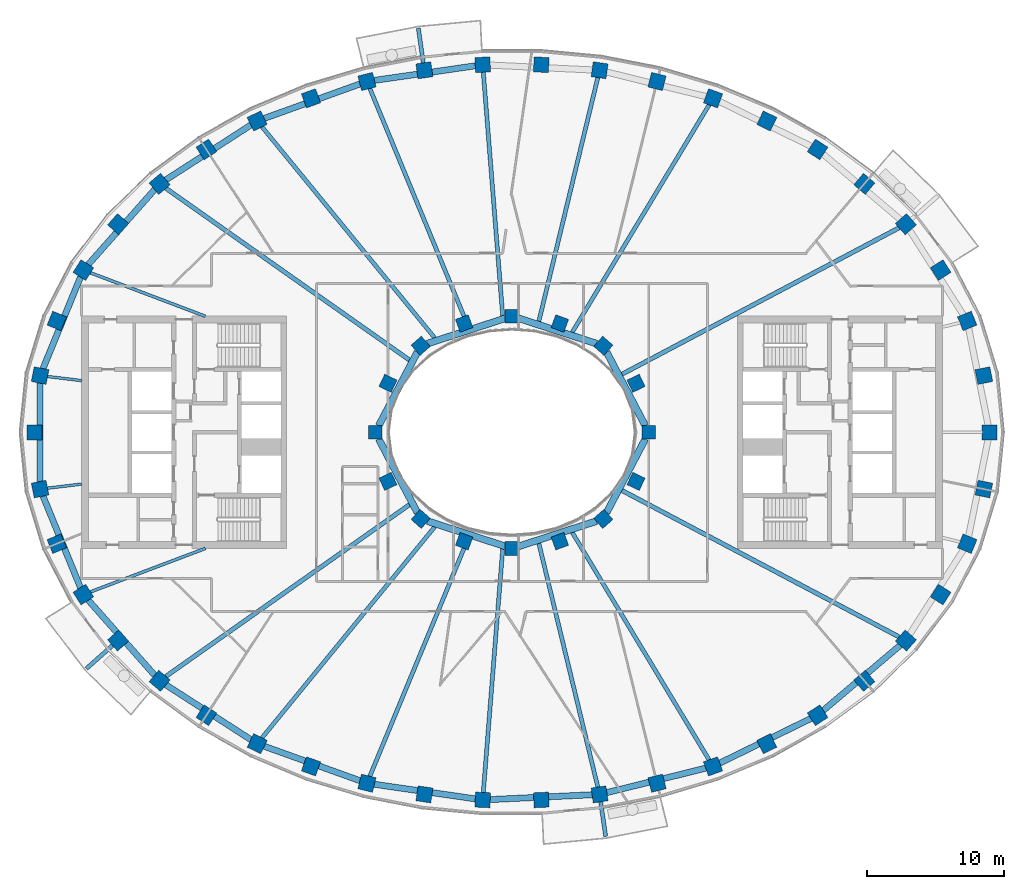
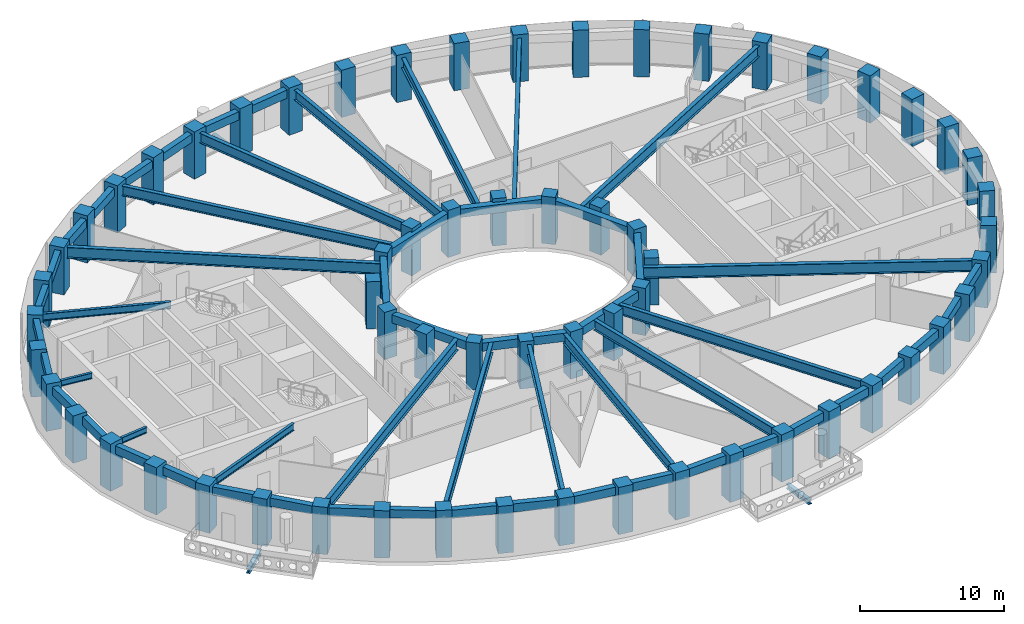
# One storey, part 1 of 16: 62 columns, 44 beams.
"""IFC4 building model written with IfcOpenShell, lengths in metres."""

from ifc_helpers import new_model, si_unit, direction, frame, origin, origin_2d, place, context, subcontext, project, spatial, rectangle, i_section, extrude, material, material_profile, profile_set, type_object, element, save


model = new_model("IFC4")

# Units and contexts
model_context = context("Model", 3, precision=1e-05, world=origin(), true_north=direction((0.0, 1.0)))
body_context = subcontext(model_context, "Body", "Model", "MODEL_VIEW")
ifc_project = project(units=[si_unit("LENGTHUNIT", "METRE"), si_unit("AREAUNIT", "SQUARE_METRE"), si_unit("VOLUMEUNIT", "CUBIC_METRE"), si_unit("PLANEANGLEUNIT", "RADIAN"), si_unit("MASSUNIT", "GRAM", prefix="KILO")], contexts=[model_context])

# Site, building, storey
site_placement = place(None, origin())
site = spatial("IfcSite", under=ifc_project, at=site_placement, CompositionType="ELEMENT")
building_placement = place(site_placement, origin())
building = spatial("IfcBuilding", under=site, at=building_placement, Name="Noorbagh Ring Tower", CompositionType="ELEMENT")
storey_placement = place(building_placement, frame((0.0, 0.0, 257.5)))
storey = spatial("IfcBuildingStorey", under=building, at=storey_placement, Name="L54", CompositionType="ELEMENT", Elevation=257.5)

# Columns
ifc_material_1 = material(Name="Concrete C60/75", Category="concrete")
ifc_material_profile_1 = material_profile(ifc_material_1, rectangle(XDim=1.10009765625, YDim=1.10009765625, at=origin_2d()), Name="RC1100x1100")
ifc_profile_set_1 = profile_set([ifc_material_profile_1], Name="Concrete C60/75")
column_type_1 = type_object("IfcColumnType", Name="STR-COL-RC1100x1100-C60-75", PredefinedType="COLUMN", material=ifc_profile_set_1)
for number, where, z_axis, x_axis, name in (
    (1, (34.944580078125, 0.0, 0.0), (0.0, 0.0, 1.0), (0.0, 1.0, 0.0), "L54/col/R1-01"),
    (2, (34.52685546875, 4.150634765625, 0.0), (0.0, 0.0, 1.0), (-0.19723040178, 0.9803571638, 0.0), "L54/col/R1-02"),
    (3, (33.30517578125, 8.1494140625, 0.0), (0.0, 0.0, 1.0), (-0.378989499959, 0.925400971969, 0.0), "L54/col/R1-03"),
    (4, (31.364990234375, 11.87109375, 0.0), (0.0, 0.0, 1.0), (-0.535190403059, 0.844731455833, 0.0), "L54/col/R1-04"),
    (5, (28.81884765625, 15.23046875, 0.0), (0.0, 0.0, 1.0), (-0.662635642662, 0.748941923699, 0.0), "L54/col/R1-05"),
    (6, (25.78271484375, 18.180419921875, 0.0), (0.0, 0.0, 1.0), (-0.763035199656, 0.646356932419, 0.0), "L54/col/R1-06"),
    (7, (22.362060546875, 20.699951171875, 0.0), (0.0, 0.0, 1.0), (-0.840247639643, 0.542202825586, 0.0), "L54/col/R1-07"),
    (8, (18.646240234375, 22.785400390625, 0.0), (0.0, 0.0, 1.0), (-0.898399080868, 0.439180021741, 0.0), "L54/col/R1-08"),
    (9, (14.70947265625, 24.44091796875, 0.0), (0.0, 0.0, 1.0), (-0.941024726094, 0.338337797003, 0.0), "L54/col/R1-09"),
    (10, (10.61328125, 25.673583984375, 0.0), (0.0, 0.0, 1.0), (-0.970829360981, 0.239771457553, 0.0), "L54/col/R1-10"),
    (11, (6.4091796875, 26.49072265625, 0.0), (0.0, 0.0, 1.0), (-0.989713114048, 0.143066249975, 0.0), "L54/col/R1-11"),
    (12, (2.14306640625, 26.89794921875, 0.0), (0.0, 0.0, 1.0), (-0.998868731212, 0.047552684538, 0.0), "L54/col/R1-12"),
    (13, (-2.14306640625, 26.89794921875, 0.0), (0.0, 0.0, 1.0), (-0.998868731212, -0.047552684538, 0.0), "L54/col/R1-13"),
    (14, (-6.4091796875, 26.49072265625, 0.0), (0.0, 0.0, 1.0), (-0.989713114048, -0.143066249975, 0.0), "L54/col/R1-14"),
    (15, (-10.61328125, 25.673583984375, 0.0), (0.0, 0.0, 1.0), (-0.970829360981, -0.239771457553, 0.0), "L54/col/R1-15"),
    (16, (-14.70947265625, 24.44091796875, 0.0), (0.0, 0.0, 1.0), (-0.941024726094, -0.338337797003, 0.0), "L54/col/R1-16"),
    (17, (-18.646240234375, 22.785400390625, 0.0), (0.0, 0.0, 1.0), (-0.898399080868, -0.439180021741, 0.0), "L54/col/R1-17"),
    (18, (-22.362060546875, 20.699951171875, 0.0), (0.0, 0.0, 1.0), (-0.840247639643, -0.542202825586, 0.0), "L54/col/R1-18"),
    (19, (-25.78271484375, 18.180419921875, 0.0), (0.0, 0.0, 1.0), (-0.763035199656, -0.646356932419, 0.0), "L54/col/R1-19"),
    (20, (-28.81884765625, 15.23046875, 0.0), (0.0, 0.0, 1.0), (-0.662635642662, -0.748941923699, 0.0), "L54/col/R1-20"),
    (21, (-31.364990234375, 11.87109375, 0.0), (0.0, 0.0, 1.0), (-0.535190403059, -0.844731455833, 0.0), "L54/col/R1-21"),
    (22, (-33.30517578125, 8.1494140625, 0.0), (0.0, 0.0, 1.0), (-0.378989499959, -0.925400971969, 0.0), "L54/col/R1-22"),
    (23, (-34.52685546875, 4.150634765625, 0.0), (0.0, 0.0, 1.0), (-0.19723040178, -0.9803571638, 0.0), "L54/col/R1-23"),
    (24, (-34.944580078125, 0.0, 0.0), (0.0, 0.0, 1.0), (0.0, -1.0, 0.0), "L54/col/R1-24"),
    (25, (-34.52685546875, -4.150634765625, 0.0), (0.0, 0.0, 1.0), (0.19723040178, -0.9803571638, 0.0), "L54/col/R1-25"),
    (26, (-33.30517578125, -8.1494140625, 0.0), (0.0, 0.0, 1.0), (0.378989499959, -0.925400971969, 0.0), "L54/col/R1-26"),
    (27, (-31.364990234375, -11.87109375, 0.0), (0.0, 0.0, 1.0), (0.535190403059, -0.844731455833, 0.0), "L54/col/R1-27"),
    (28, (-28.81884765625, -15.23046875, 0.0), (0.0, 0.0, 1.0), (0.662635642662, -0.748941923699, 0.0), "L54/col/R1-28"),
    (29, (-25.78271484375, -18.180419921875, 0.0), (0.0, 0.0, 1.0), (0.763035199656, -0.646356932419, 0.0), "L54/col/R1-29"),
    (30, (-22.362060546875, -20.699951171875, 0.0), (0.0, 0.0, 1.0), (0.840247639643, -0.542202825586, 0.0), "L54/col/R1-30"),
    (31, (-18.646240234375, -22.785400390625, 0.0), (0.0, 0.0, 1.0), (0.898399080868, -0.439180021741, 0.0), "L54/col/R1-31"),
    (32, (-14.70947265625, -24.44091796875, 0.0), (0.0, 0.0, 1.0), (0.941024726094, -0.338337797003, 0.0), "L54/col/R1-32"),
    (33, (-10.61328125, -25.673583984375, 0.0), (0.0, 0.0, 1.0), (0.970829360981, -0.239771457553, 0.0), "L54/col/R1-33"),
    (34, (-6.4091796875, -26.49072265625, 0.0), (0.0, 0.0, 1.0), (0.989713114048, -0.143066249975, 0.0), "L54/col/R1-34"),
    (35, (-2.14306640625, -26.89794921875, 0.0), (0.0, 0.0, 1.0), (0.998868731212, -0.047552684538, 0.0), "L54/col/R1-35"),
    (36, (2.14306640625, -26.89794921875, 0.0), (0.0, 0.0, 1.0), (0.998868731212, 0.047552684538, 0.0), "L54/col/R1-36"),
    (37, (6.4091796875, -26.49072265625, 0.0), (0.0, 0.0, 1.0), (0.989713114048, 0.143066249975, 0.0), "L54/col/R1-37"),
    (38, (10.61328125, -25.673583984375, 0.0), (0.0, 0.0, 1.0), (0.970829360981, 0.239771457553, 0.0), "L54/col/R1-38"),
    (39, (14.70947265625, -24.44091796875, 0.0), (0.0, 0.0, 1.0), (0.941024726094, 0.338337797003, 0.0), "L54/col/R1-39"),
    (40, (18.646240234375, -22.785400390625, 0.0), (0.0, 0.0, 1.0), (0.898399080868, 0.439180021741, 0.0), "L54/col/R1-40"),
    (41, (22.362060546875, -20.699951171875, 0.0), (0.0, 0.0, 1.0), (0.840247639643, 0.542202825586, 0.0), "L54/col/R1-41"),
    (42, (25.78271484375, -18.180419921875, 0.0), (0.0, 0.0, 1.0), (0.763035199656, 0.646356932419, 0.0), "L54/col/R1-42"),
    (43, (28.81884765625, -15.23046875, 0.0), (0.0, 0.0, 1.0), (0.662635642662, 0.748941923699, 0.0), "L54/col/R1-43"),
    (44, (31.364990234375, -11.87109375, 0.0), (0.0, 0.0, 1.0), (0.535190403059, 0.844731455833, 0.0), "L54/col/R1-44"),
    (45, (33.30517578125, -8.1494140625, 0.0), (0.0, 0.0, 1.0), (0.378989499959, 0.925400971969, 0.0), "L54/col/R1-45"),
    (46, (34.52685546875, -4.150634765625, 0.0), (0.0, 0.0, 1.0), (0.19723040178, 0.9803571638, 0.0), "L54/col/R1-46"),
):
    element("IfcColumn", number, at=place(storey_placement, frame(where, z_axis=z_axis, x_axis=x_axis)), inside=storey, type_object=column_type_1, Name=name, PredefinedType="COLUMN", context=body_context, shape_type="SweptSolid", body=[
        extrude(rectangle(XDim=1.10009765625, YDim=1.10009765625, at=origin_2d()), origin(), (0.0, 0.0, 1.0), 4.0),
    ])
ifc_material_2 = material(Name="Concrete C60/75", Category="concrete")
ifc_material_profile_2 = material_profile(ifc_material_2, rectangle(XDim=1.0, YDim=1.0, at=origin_2d()), Name="RC1000x1000")
ifc_profile_set_2 = profile_set([ifc_material_profile_2], Name="Concrete C60/75")
column_type_2 = type_object("IfcColumnType", Name="STR-ICOL-RC1000x1000-C60-75", PredefinedType="COLUMN", material=ifc_profile_set_2)
for number, where, z_axis, x_axis, name in (
    (47, (10.00830078125, 0.0, 0.0), (0.0, 0.0, 1.0), (0.0, 1.0, 0.0), "L54/col/IR2-W01"),
    (48, (9.07568359375, 3.58837890625, 0.0), (0.0, 0.0, 1.0), (-0.428666979171, 0.903462573087, 0.0), "L54/col/IR2-W03"),
    (49, (6.68212890625, 6.333740234375, 0.0), (0.0, 0.0, 1.0), (-0.75102249095, 0.660276622399, 0.0), "L54/col/IR2-W05"),
    (50, (3.5009765625, 7.967041015625, 0.0), (0.0, 0.0, 1.0), (-0.939019578916, 0.343863679984, 0.0), "L54/col/IR2-W07"),
    (51, (0.0, 8.5029296875, 0.0), (0.0, 0.0, 1.0), (-1.0, 0.0, 0.0), "L54/col/IR2-W09"),
    (52, (-3.5009765625, 7.967041015625, 0.0), (0.0, 0.0, 1.0), (-0.939019578916, -0.343863679984, 0.0), "L54/col/IR2-W11"),
    (53, (-6.68212890625, 6.333740234375, 0.0), (0.0, 0.0, 1.0), (-0.75102249095, -0.660276622399, 0.0), "L54/col/IR2-W13"),
    (54, (-9.07568359375, 3.58837890625, 0.0), (0.0, 0.0, 1.0), (-0.428666979171, -0.903462573087, 0.0), "L54/col/IR2-W15"),
    (55, (-10.00830078125, 0.0, 0.0), (0.0, 0.0, 1.0), (0.0, -1.0, 0.0), "L54/col/IR2-W17"),
    (56, (-9.07568359375, -3.58837890625, 0.0), (0.0, 0.0, 1.0), (0.428666979171, -0.903462573087, 0.0), "L54/col/IR2-W19"),
    (57, (-6.68212890625, -6.333740234375, 0.0), (0.0, 0.0, 1.0), (0.75102249095, -0.660276622399, 0.0), "L54/col/IR2-W21"),
    (58, (-3.5009765625, -7.967041015625, 0.0), (0.0, 0.0, 1.0), (0.939019578916, -0.343863679984, 0.0), "L54/col/IR2-W23"),
    (59, (0.0, -8.5029296875, 0.0), (0.0, 0.0, 1.0), (1.0, 0.0, 0.0), "L54/col/IR2-W25"),
    (60, (3.5009765625, -7.967041015625, 0.0), (0.0, 0.0, 1.0), (0.939019578916, 0.343863679984, 0.0), "L54/col/IR2-W27"),
    (61, (6.68212890625, -6.333740234375, 0.0), (0.0, 0.0, 1.0), (0.75102249095, 0.660276622399, 0.0), "L54/col/IR2-W29"),
    (62, (9.07568359375, -3.58837890625, 0.0), (0.0, 0.0, 1.0), (0.428666979171, 0.903462573087, 0.0), "L54/col/IR2-W31"),
):
    element("IfcColumn", number, at=place(storey_placement, frame(where, z_axis=z_axis, x_axis=x_axis)), inside=storey, type_object=column_type_2, Name=name, PredefinedType="COLUMN", context=body_context, shape_type="SweptSolid", body=[
        extrude(rectangle(XDim=1.0, YDim=1.0, at=origin_2d()), origin(), (0.0, 0.0, 1.0), 4.0),
    ])

# Beams
ifc_material_3 = material(Name="Steel S355", Category="steel")
ifc_material_profile_3 = material_profile(ifc_material_3, i_section(OverallWidth=0.300048828125, OverallDepth=0.39990234375, WebThickness=0.013427734375, FlangeThickness=0.02392578125, FilletRadius=0.027099609375, at=origin_2d()), Name="HEB400")
ifc_profile_set_3 = profile_set([ifc_material_profile_3], Name="Steel S355")
beam_type_1 = type_object("IfcBeamType", Name="STR-BALCONY-BRACKET-HEB400", PredefinedType="BEAM", material=ifc_profile_set_3)
beam_1_placement = place(storey_placement, frame((-6.485107421875, 27.015380859375, -0.5), z_axis=(-0.143041289678, 0.989716721819, 0.0), x_axis=(-0.989716721819, -0.143041289678, 0.0)))
element("IfcBeam", 63, at=beam_1_placement, inside=storey, type_object=beam_type_1, Name="Balcony bracket beam BN04", PredefinedType="BEAM", context=body_context, shape_type="SweptSolid", body=[
    extrude(i_section(OverallWidth=0.300048828125, OverallDepth=0.39990234375, WebThickness=0.013427734375, FlangeThickness=0.02392578125, FilletRadius=0.027099609375, at=origin_2d()), origin(), (0.0, 0.0, 1.0), 2.57373046875),
])
beam_2_placement = place(storey_placement, frame((-29.2158203125, -15.58154296875, -0.5), z_axis=(-0.749036305026, -0.662528953144, 0.0), x_axis=(0.662528953144, -0.749036305026, 0.0)))
element("IfcBeam", 64, at=beam_2_placement, inside=storey, type_object=beam_type_1, Name="Balcony bracket beam BS01", PredefinedType="BEAM", context=body_context, shape_type="SweptSolid", body=[
    extrude(i_section(OverallWidth=0.300048828125, OverallDepth=0.39990234375, WebThickness=0.013427734375, FlangeThickness=0.02392578125, FilletRadius=0.027099609375, at=origin_2d()), origin(), (0.0, 0.0, 1.0), 2.57958984375),
])
beam_3_placement = place(storey_placement, frame((6.485107421875, -27.015380859375, -0.5), z_axis=(0.143041289678, -0.989716721819, 0.0), x_axis=(0.989716721819, 0.143041289678, 0.0)))
element("IfcBeam", 65, at=beam_3_placement, inside=storey, type_object=beam_type_1, Name="Balcony bracket beam BS04", PredefinedType="BEAM", context=body_context, shape_type="SweptSolid", body=[
    extrude(i_section(OverallWidth=0.300048828125, OverallDepth=0.39990234375, WebThickness=0.013427734375, FlangeThickness=0.02392578125, FilletRadius=0.027099609375, at=origin_2d()), origin(), (0.0, 0.0, 1.0), 2.57373046875),
])
ifc_material_4 = material(Name="Steel S355", Category="steel")
ifc_material_profile_4 = material_profile(ifc_material_4, i_section(OverallWidth=0.199951171875, OverallDepth=0.5, WebThickness=0.01025390625, FlangeThickness=0.01611328125, FilletRadius=0.02099609375, at=origin_2d()), Name="IPE500")
ifc_profile_set_4 = profile_set([ifc_material_profile_4], Name="Steel S355")
beam_type_2 = type_object("IfcBeamType", Name="STR-RAD-IPE500", PredefinedType="BEAM", material=ifc_profile_set_4)
for number, where, z_axis, x_axis, name in (
    (66, (-33.998779296875, 4.087158203125, 3.449951171875), (0.992853137385, -0.119342564013, 0.0), (0.119342564013, 0.992853137385, 0.0), "L54/bm/RD23"),
    (67, (-33.998779296875, -4.087158203125, 3.449951171875), (0.992853137385, 0.119342564013, 0.0), (-0.119342564013, 0.992853137385, 0.0), "L54/bm/RD25"),
):
    element("IfcBeam", number, at=place(storey_placement, frame(where, z_axis=z_axis, x_axis=x_axis)), inside=storey, type_object=beam_type_2, Name=name, PredefinedType="BEAM", context=body_context, shape_type="SweptSolid", body=[
        extrude(i_section(OverallWidth=0.199951171875, OverallDepth=0.5, WebThickness=0.01025390625, FlangeThickness=0.01611328125, FilletRadius=0.02099609375, at=origin_2d()), origin(), (0.0, 0.0, 1.0), 2.53662109375),
    ])
ifc_material_5 = material(Name="Steel S355", Category="steel")
ifc_material_profile_5 = material_profile(ifc_material_5, i_section(OverallWidth=0.219970703125, OverallDepth=0.60009765625, WebThickness=0.011962890625, FlangeThickness=0.01904296875, FilletRadius=0.02392578125, at=origin_2d()), Name="IPE600")
ifc_profile_set_5 = profile_set([ifc_material_profile_5], Name="Steel S355")
beam_type_3 = type_object("IfcBeamType", Name="STR-RAD-IPE600", PredefinedType="BEAM", material=ifc_profile_set_5)
for number, where, z_axis, x_axis, name in (
    (68, (-30.858642578125, 11.67919921875, 3.39990234375), (0.935259323835, -0.353963270948, 0.0), (0.353963270948, 0.935259323835, 0.0), "L54/bm/RD21"),
    (69, (-30.858642578125, -11.67919921875, 3.39990234375), (0.935259323835, 0.353963270948, 0.0), (-0.353963270948, 0.935259323835, 0.0), "L54/bm/RD27"),
):
    element("IfcBeam", number, at=place(storey_placement, frame(where, z_axis=z_axis, x_axis=x_axis)), inside=storey, type_object=beam_type_3, Name=name, PredefinedType="BEAM", context=body_context, shape_type="SweptSolid", body=[
        extrude(i_section(OverallWidth=0.219970703125, OverallDepth=0.60009765625, WebThickness=0.011962890625, FlangeThickness=0.01904296875, FilletRadius=0.02392578125, at=origin_2d()), origin(), (0.0, 0.0, 1.0), 9.001708984375),
    ])
ifc_material_6 = material(Name="Steel S355", Category="steel")
ifc_material_profile_6 = material_profile(ifc_material_6, i_section(OverallWidth=0.300048828125, OverallDepth=0.85009765625, WebThickness=0.013916015625, FlangeThickness=0.028076171875, at=origin_2d()), Name="PG850x300x14x28")
ifc_profile_set_6 = profile_set([ifc_material_profile_6], Name="Steel S355")
beam_type_4 = type_object("IfcBeamType", Name="STR-RAD-PG850x300x14x28", PredefinedType="BEAM", material=ifc_profile_set_6)
beam_4_placement = place(storey_placement, frame((14.4306640625, 23.9775390625, 3.27490234375), z_axis=(-0.515652889643, -0.856797582514, 0.0), x_axis=(0.856797582514, -0.515652889643, 0.0)))
element("IfcBeam", 70, at=beam_4_placement, inside=storey, type_object=beam_type_4, Name="L54/bm/RD09", PredefinedType="BEAM", context=body_context, shape_type="SweptSolid", body=[
    extrude(i_section(OverallWidth=0.300048828125, OverallDepth=0.85009765625, WebThickness=0.013916015625, FlangeThickness=0.028076171875, at=origin_2d()), origin(), (0.0, 0.0, 1.0), 19.4462890625),
])
beam_5_placement = place(storey_placement, frame((6.283935546875, 25.973388671875, 3.27490234375), z_axis=(-0.235149899609, -0.971959116791, 0.0), x_axis=(0.971959116791, -0.235149899609, 0.0)))
element("IfcBeam", 71, at=beam_5_placement, inside=storey, type_object=beam_type_4, Name="L54/bm/RD11", PredefinedType="BEAM", context=body_context, shape_type="SweptSolid", body=[
    extrude(i_section(OverallWidth=0.300048828125, OverallDepth=0.85009765625, WebThickness=0.013916015625, FlangeThickness=0.028076171875, at=origin_2d()), origin(), (0.0, 0.0, 1.0), 18.380859375),
])
beam_6_placement = place(storey_placement, frame((-2.10107421875, 26.369384765625, 3.27490234375), z_axis=(0.079428656786, -0.996840553189, 0.0), x_axis=(0.996840553189, 0.079428656786, 0.0)))
element("IfcBeam", 72, at=beam_6_placement, inside=storey, type_object=beam_type_4, Name="L54/bm/RD13", PredefinedType="BEAM", context=body_context, shape_type="SweptSolid", body=[
    extrude(i_section(OverallWidth=0.300048828125, OverallDepth=0.85009765625, WebThickness=0.013916015625, FlangeThickness=0.028076171875, at=origin_2d()), origin(), (0.0, 0.0, 1.0), 17.9013671875),
])
beam_7_placement = place(storey_placement, frame((-10.408447265625, 25.177978515625, 3.27490234375), z_axis=(0.382042222752, -0.924144869614, 0.0), x_axis=(0.924144869614, 0.382042222752, 0.0)))
element("IfcBeam", 73, at=beam_7_placement, inside=storey, type_object=beam_type_4, Name="L54/bm/RD15", PredefinedType="BEAM", context=body_context, shape_type="SweptSolid", body=[
    extrude(i_section(OverallWidth=0.300048828125, OverallDepth=0.85009765625, WebThickness=0.013916015625, FlangeThickness=0.028076171875, at=origin_2d()), origin(), (0.0, 0.0, 1.0), 18.901611328125),
])
for number, where, z_axis, x_axis, name in (
    (74, (-18.301025390625, 22.363525390625, 3.27490234375), (0.633313689008, -0.773895194012, 0.0), (0.773895194012, 0.633313689008, 0.0), "L54/bm/RD17"),
    (75, (-18.301025390625, -22.363525390625, 3.27490234375), (0.633313689008, 0.773895194012, 0.0), (-0.773895194012, 0.633313689008, 0.0), "L54/bm/RD31"),
):
    element("IfcBeam", number, at=place(storey_placement, frame(where, z_axis=z_axis, x_axis=x_axis)), inside=storey, type_object=beam_type_4, Name=name, PredefinedType="BEAM", context=body_context, shape_type="SweptSolid", body=[
        extrude(i_section(OverallWidth=0.300048828125, OverallDepth=0.85009765625, WebThickness=0.013916015625, FlangeThickness=0.028076171875, at=origin_2d()), origin(), (0.0, 0.0, 1.0), 19.968017578125),
    ])
beam_8_placement = place(storey_placement, frame((-10.408447265625, -25.177978515625, 3.27490234375), z_axis=(0.382042222752, 0.924144869614, 0.0), x_axis=(-0.924144869614, 0.382042222752, 0.0)))
element("IfcBeam", 76, at=beam_8_placement, inside=storey, type_object=beam_type_4, Name="L54/bm/RD33", PredefinedType="BEAM", context=body_context, shape_type="SweptSolid", body=[
    extrude(i_section(OverallWidth=0.300048828125, OverallDepth=0.85009765625, WebThickness=0.013916015625, FlangeThickness=0.028076171875, at=origin_2d()), origin(), (0.0, 0.0, 1.0), 18.901611328125),
])
beam_9_placement = place(storey_placement, frame((-2.10107421875, -26.369384765625, 3.27490234375), z_axis=(0.079428656786, 0.996840553189, 0.0), x_axis=(-0.996840553189, 0.079428656786, 0.0)))
element("IfcBeam", 77, at=beam_9_placement, inside=storey, type_object=beam_type_4, Name="L54/bm/RD35", PredefinedType="BEAM", context=body_context, shape_type="SweptSolid", body=[
    extrude(i_section(OverallWidth=0.300048828125, OverallDepth=0.85009765625, WebThickness=0.013916015625, FlangeThickness=0.028076171875, at=origin_2d()), origin(), (0.0, 0.0, 1.0), 17.9013671875),
])
beam_10_placement = place(storey_placement, frame((6.283935546875, -25.973388671875, 3.27490234375), z_axis=(-0.235149899609, 0.971959116791, 0.0), x_axis=(-0.971959116791, -0.235149899609, 0.0)))
element("IfcBeam", 78, at=beam_10_placement, inside=storey, type_object=beam_type_4, Name="L54/bm/RD37", PredefinedType="BEAM", context=body_context, shape_type="SweptSolid", body=[
    extrude(i_section(OverallWidth=0.300048828125, OverallDepth=0.85009765625, WebThickness=0.013916015625, FlangeThickness=0.028076171875, at=origin_2d()), origin(), (0.0, 0.0, 1.0), 18.380859375),
])
beam_11_placement = place(storey_placement, frame((14.4306640625, -23.9775390625, 3.27490234375), z_axis=(-0.515652889643, 0.856797582514, 0.0), x_axis=(-0.856797582514, -0.515652889643, 0.0)))
element("IfcBeam", 79, at=beam_11_placement, inside=storey, type_object=beam_type_4, Name="L54/bm/RD39", PredefinedType="BEAM", context=body_context, shape_type="SweptSolid", body=[
    extrude(i_section(OverallWidth=0.300048828125, OverallDepth=0.85009765625, WebThickness=0.013916015625, FlangeThickness=0.028076171875, at=origin_2d()), origin(), (0.0, 0.0, 1.0), 19.4462890625),
])
ifc_material_7 = material(Name="Steel S355", Category="steel")
ifc_material_profile_7 = material_profile(ifc_material_7, i_section(OverallWidth=0.320068359375, OverallDepth=0.949951171875, WebThickness=0.01611328125, FlangeThickness=0.030029296875, at=origin_2d()), Name="PG950x320x16x30")
ifc_profile_set_7 = profile_set([ifc_material_profile_7], Name="Steel S355")
beam_type_5 = type_object("IfcBeamType", Name="STR-RAD-PG950x320x16x30", PredefinedType="BEAM", material=ifc_profile_set_7)
beam_12_placement = place(storey_placement, frame((28.336181640625, 14.975341796875, 3.22509765625), z_axis=(-0.884128075717, -0.467244631567, 0.0), x_axis=(0.467244631567, -0.884128075717, 0.0)))
element("IfcBeam", 80, at=beam_12_placement, inside=storey, type_object=beam_type_5, Name="L54/bm/RD05", PredefinedType="BEAM", context=body_context, shape_type="SweptSolid", body=[
    extrude(i_section(OverallWidth=0.320068359375, OverallDepth=0.949951171875, WebThickness=0.01611328125, FlangeThickness=0.030029296875, at=origin_2d()), origin(), (0.0, 0.0, 1.0), 22.959228515625),
])
for number, where, z_axis, x_axis, name in (
    (81, (-25.334716796875, 17.864501953125, 3.22509765625), (0.81725475763, -0.576276549176, 0.0), (0.576276549176, 0.81725475763, 0.0), "L54/bm/RD19"),
    (82, (-25.334716796875, -17.864501953125, 3.22509765625), (0.81725475763, 0.576276549176, 0.0), (-0.576276549176, 0.81725475763, 0.0), "L54/bm/RD29"),
):
    element("IfcBeam", number, at=place(storey_placement, frame(where, z_axis=z_axis, x_axis=x_axis)), inside=storey, type_object=beam_type_5, Name=name, PredefinedType="BEAM", context=body_context, shape_type="SweptSolid", body=[
        extrude(i_section(OverallWidth=0.320068359375, OverallDepth=0.949951171875, WebThickness=0.01611328125, FlangeThickness=0.030029296875, at=origin_2d()), origin(), (0.0, 0.0, 1.0), 21.830810546875),
    ])
beam_13_placement = place(storey_placement, frame((28.336181640625, -14.975341796875, 3.22509765625), z_axis=(-0.884128075717, 0.467244631567, 0.0), x_axis=(-0.467244631567, -0.884128075717, 0.0)))
element("IfcBeam", 83, at=beam_13_placement, inside=storey, type_object=beam_type_5, Name="L54/bm/RD43", PredefinedType="BEAM", context=body_context, shape_type="SweptSolid", body=[
    extrude(i_section(OverallWidth=0.320068359375, OverallDepth=0.949951171875, WebThickness=0.01611328125, FlangeThickness=0.030029296875, at=origin_2d()), origin(), (0.0, 0.0, 1.0), 22.959228515625),
])
ifc_material_8 = material(Name="Concrete C40/50", Category="concrete")
ifc_material_profile_8 = material_profile(ifc_material_8, rectangle(XDim=0.5, YDim=0.699951171875, at=origin_2d()), Name="RC500x700")
ifc_profile_set_8 = profile_set([ifc_material_profile_8], Name="Concrete C40/50")
beam_type_6 = type_object("IfcBeamType", Name="STR-RB-RC500x700-C40-50", PredefinedType="BEAM", material=ifc_profile_set_8)
beam_14_placement = place(storey_placement, frame((9.755126953125, 0.482177734375, 3.35009765625), z_axis=(-0.464928900722, 0.885348020427, 0.0), x_axis=(-0.885348020427, -0.464928900722, 0.0)))
element("IfcBeam", 84, at=beam_14_placement, inside=storey, type_object=beam_type_6, Name="L54/bm/RG01", PredefinedType="BEAM", context=body_context, shape_type="SweptSolid", body=[
    extrude(rectangle(XDim=0.5, YDim=0.699951171875, at=origin_2d()), origin(), (0.0, 0.0, 1.0), 6.093994140625),
])
for number, where, z_axis, x_axis, name in (
    (85, (6.183349609375, 6.495849609375, 3.35009765625), (-0.951154000484, 0.30871680771, 0.0), (-0.30871680771, -0.951154000484, 0.0), "L54/bm/RG03"),
    (86, (-0.48095703125, 8.3466796875, 3.35009765625), (-0.951154000484, -0.30871680771, 0.0), (0.30871680771, -0.951154000484, 0.0), "L54/bm/RG05"),
):
    element("IfcBeam", number, at=place(storey_placement, frame(where, z_axis=z_axis, x_axis=x_axis)), inside=storey, type_object=beam_type_6, Name=name, PredefinedType="BEAM", context=body_context, shape_type="SweptSolid", body=[
        extrude(rectangle(XDim=0.5, YDim=0.699951171875, at=origin_2d()), origin(), (0.0, 0.0, 1.0), 5.9951171875),
    ])
for number, where, z_axis, x_axis, name in (
    (87, (-6.921875, 5.87744140625, 3.35009765625), (-0.464928900722, -0.885348020427, 0.0), (0.885348020427, -0.464928900722, 0.0), "L54/bm/RG07"),
    (88, (-9.755126953125, -0.482177734375, 3.35009765625), (0.464928900722, -0.885348020427, 0.0), (0.885348020427, 0.464928900722, 0.0), "L54/bm/RG09"),
):
    element("IfcBeam", number, at=place(storey_placement, frame(where, z_axis=z_axis, x_axis=x_axis)), inside=storey, type_object=beam_type_6, Name=name, PredefinedType="BEAM", context=body_context, shape_type="SweptSolid", body=[
        extrude(rectangle(XDim=0.5, YDim=0.699951171875, at=origin_2d()), origin(), (0.0, 0.0, 1.0), 6.093994140625),
    ])
for number, where, z_axis, x_axis, name in (
    (89, (-6.183349609375, -6.495849609375, 3.35009765625), (0.951154000484, -0.30871680771, 0.0), (0.30871680771, 0.951154000484, 0.0), "L54/bm/RG11"),
    (90, (0.48095703125, -8.3466796875, 3.35009765625), (0.951154000484, 0.30871680771, 0.0), (-0.30871680771, 0.951154000484, 0.0), "L54/bm/RG13"),
):
    element("IfcBeam", number, at=place(storey_placement, frame(where, z_axis=z_axis, x_axis=x_axis)), inside=storey, type_object=beam_type_6, Name=name, PredefinedType="BEAM", context=body_context, shape_type="SweptSolid", body=[
        extrude(rectangle(XDim=0.5, YDim=0.699951171875, at=origin_2d()), origin(), (0.0, 0.0, 1.0), 5.9951171875),
    ])
beam_15_placement = place(storey_placement, frame((6.921875, -5.87744140625, 3.35009765625), z_axis=(0.464928900722, 0.885348020427, 0.0), x_axis=(-0.885348020427, 0.464928900722, 0.0)))
element("IfcBeam", 91, at=beam_15_placement, inside=storey, type_object=beam_type_6, Name="L54/bm/RG15", PredefinedType="BEAM", context=body_context, shape_type="SweptSolid", body=[
    extrude(rectangle(XDim=0.5, YDim=0.699951171875, at=origin_2d()), origin(), (0.0, 0.0, 1.0), 6.093994140625),
])
ifc_material_9 = material(Name="Concrete C40/50", Category="concrete")
ifc_material_profile_9 = material_profile(ifc_material_9, rectangle(XDim=0.449951171875, YDim=0.699951171875, at=origin_2d()), Name="RC450x700")
ifc_profile_set_9 = profile_set([ifc_material_profile_9], Name="Concrete C40/50")
beam_type_7 = type_object("IfcBeamType", Name="STR-SB-RC450x700-C40-50", PredefinedType="BEAM", material=ifc_profile_set_9)
beam_16_placement = place(storey_placement, frame((-2.670166015625, 26.82177734375, 3.35009765625), z_axis=(-0.989712214626, -0.143072471915, 0.0), x_axis=(0.143072471915, -0.989712214626, 0.0)))
element("IfcBeam", 92, at=beam_16_placement, inside=storey, type_object=beam_type_7, Name="L54/bm/SP13", PredefinedType="BEAM", context=body_context, shape_type="SweptSolid", body=[
    extrude(rectangle(XDim=0.449951171875, YDim=0.699951171875, at=origin_2d()), origin(), (0.0, 0.0, 1.0), 7.492919921875),
])
beam_17_placement = place(storey_placement, frame((-11.11474609375, 25.493408203125, 3.35009765625), z_axis=(-0.941021072028, -0.338347959947, 0.0), x_axis=(0.338347959947, -0.941021072028, 0.0)))
element("IfcBeam", 93, at=beam_17_placement, inside=storey, type_object=beam_type_7, Name="L54/bm/SP15", PredefinedType="BEAM", context=body_context, shape_type="SweptSolid", body=[
    extrude(rectangle(XDim=0.449951171875, YDim=0.699951171875, at=origin_2d()), origin(), (0.0, 0.0, 1.0), 7.470458984375),
])
beam_18_placement = place(storey_placement, frame((-19.094970703125, 22.495849609375, 3.35009765625), z_axis=(-0.840248806946, -0.542201016622, 0.0), x_axis=(0.542201016622, -0.840248806946, 0.0)))
element("IfcBeam", 94, at=beam_18_placement, inside=storey, type_object=beam_type_7, Name="L54/bm/SP17", PredefinedType="BEAM", context=body_context, shape_type="SweptSolid", body=[
    extrude(rectangle(XDim=0.449951171875, YDim=0.699951171875, at=origin_2d()), origin(), (0.0, 0.0, 1.0), 7.424560546875),
])
beam_19_placement = place(storey_placement, frame((-26.1376953125, 17.779052734375, 3.35009765625), z_axis=(-0.662632637862, -0.748944582222, 0.0), x_axis=(0.748944582222, -0.662632637862, 0.0)))
element("IfcBeam", 95, at=beam_19_placement, inside=storey, type_object=beam_type_7, Name="L54/bm/SP19", PredefinedType="BEAM", context=body_context, shape_type="SweptSolid", body=[
    extrude(rectangle(XDim=0.449951171875, YDim=0.699951171875, at=origin_2d()), origin(), (0.0, 0.0, 1.0), 7.3515625),
])
beam_20_placement = place(storey_placement, frame((-31.569091796875, 11.37255859375, 3.35009765625), z_axis=(-0.378980930271, -0.92540448156, 0.0), x_axis=(0.92540448156, -0.378980930271, 0.0)))
element("IfcBeam", 96, at=beam_20_placement, inside=storey, type_object=beam_type_7, Name="L54/bm/SP21", PredefinedType="BEAM", context=body_context, shape_type="SweptSolid", body=[
    extrude(rectangle(XDim=0.449951171875, YDim=0.699951171875, at=origin_2d()), origin(), (0.0, 0.0, 1.0), 7.263916015625),
])
beam_21_placement = place(storey_placement, frame((-34.52685546875, 3.609619140625, 3.35009765625), z_axis=(0.0, -1.0, 0.0), x_axis=(1.0, 0.0, 0.0)))
element("IfcBeam", 97, at=beam_21_placement, inside=storey, type_object=beam_type_7, Name="L54/bm/SP23", PredefinedType="BEAM", context=body_context, shape_type="SweptSolid", body=[
    extrude(rectangle(XDim=0.449951171875, YDim=0.699951171875, at=origin_2d()), origin(), (0.0, 0.0, 1.0), 7.21923828125),
])
beam_22_placement = place(storey_placement, frame((-34.322021484375, -4.650390625, 3.35009765625), z_axis=(0.378980930271, -0.92540448156, 0.0), x_axis=(0.92540448156, 0.378980930271, 0.0)))
element("IfcBeam", 98, at=beam_22_placement, inside=storey, type_object=beam_type_7, Name="L54/bm/SP25", PredefinedType="BEAM", context=body_context, shape_type="SweptSolid", body=[
    extrude(rectangle(XDim=0.449951171875, YDim=0.699951171875, at=origin_2d()), origin(), (0.0, 0.0, 1.0), 7.263916015625),
])
beam_23_placement = place(storey_placement, frame((-31.009033203125, -12.273193359375, 3.35009765625), z_axis=(0.662632637862, -0.748944582222, 0.0), x_axis=(0.748944582222, 0.662632637862, 0.0)))
element("IfcBeam", 99, at=beam_23_placement, inside=storey, type_object=beam_type_7, Name="L54/bm/SP27", PredefinedType="BEAM", context=body_context, shape_type="SweptSolid", body=[
    extrude(rectangle(XDim=0.449951171875, YDim=0.699951171875, at=origin_2d()), origin(), (0.0, 0.0, 1.0), 7.3515625),
])
beam_24_placement = place(storey_placement, frame((-25.33349609375, -18.47021484375, 3.35009765625), z_axis=(0.840248806946, -0.542201016622, 0.0), x_axis=(0.542201016622, 0.840248806946, 0.0)))
element("IfcBeam", 100, at=beam_24_placement, inside=storey, type_object=beam_type_7, Name="L54/bm/SP29", PredefinedType="BEAM", context=body_context, shape_type="SweptSolid", body=[
    extrude(rectangle(XDim=0.449951171875, YDim=0.699951171875, at=origin_2d()), origin(), (0.0, 0.0, 1.0), 7.424560546875),
])
beam_25_placement = place(storey_placement, frame((-18.14453125, -22.9658203125, 3.35009765625), z_axis=(0.941021072028, -0.338347959947, 0.0), x_axis=(0.338347959947, 0.941021072028, 0.0)))
element("IfcBeam", 101, at=beam_25_placement, inside=storey, type_object=beam_type_7, Name="L54/bm/SP31", PredefinedType="BEAM", context=body_context, shape_type="SweptSolid", body=[
    extrude(rectangle(XDim=0.449951171875, YDim=0.699951171875, at=origin_2d()), origin(), (0.0, 0.0, 1.0), 7.470458984375),
])
beam_26_placement = place(storey_placement, frame((-10.0859375, -25.749755859375, 3.35009765625), z_axis=(0.989712214626, -0.143072471915, 0.0), x_axis=(0.143072471915, 0.989712214626, 0.0)))
element("IfcBeam", 102, at=beam_26_placement, inside=storey, type_object=beam_type_7, Name="L54/bm/SP33", PredefinedType="BEAM", context=body_context, shape_type="SweptSolid", body=[
    extrude(rectangle(XDim=0.449951171875, YDim=0.699951171875, at=origin_2d()), origin(), (0.0, 0.0, 1.0), 7.492919921875),
])
beam_27_placement = place(storey_placement, frame((-1.611328125, -26.87255859375, 3.35009765625), z_axis=(0.998869095319, 0.047545035672, 0.0), x_axis=(-0.047545035672, 0.998869095319, 0.0)))
element("IfcBeam", 103, at=beam_27_placement, inside=storey, type_object=beam_type_7, Name="L54/bm/SP35", PredefinedType="BEAM", context=body_context, shape_type="SweptSolid", body=[
    extrude(rectangle(XDim=0.449951171875, YDim=0.699951171875, at=origin_2d()), origin(), (0.0, 0.0, 1.0), 7.4970703125),
])
beam_28_placement = place(storey_placement, frame((6.926513671875, -26.363037109375, 3.35009765625), z_axis=(0.970829382675, 0.239771369713, 0.0), x_axis=(-0.239771369713, 0.970829382675, 0.0)))
element("IfcBeam", 104, at=beam_28_placement, inside=storey, type_object=beam_type_7, Name="L54/bm/SP37", PredefinedType="BEAM", context=body_context, shape_type="SweptSolid", body=[
    extrude(rectangle(XDim=0.449951171875, YDim=0.699951171875, at=origin_2d()), origin(), (0.0, 0.0, 1.0), 7.48388671875),
])
beam_29_placement = place(storey_placement, frame((15.188720703125, -24.20654296875, 3.35009765625), z_axis=(0.898395566206, 0.43918721136, 0.0), x_axis=(-0.43918721136, 0.898395566206, 0.0)))
element("IfcBeam", 105, at=beam_29_placement, inside=storey, type_object=beam_type_7, Name="L54/bm/SP39", PredefinedType="BEAM", context=body_context, shape_type="SweptSolid", body=[
    extrude(rectangle(XDim=0.449951171875, YDim=0.699951171875, at=origin_2d()), origin(), (0.0, 0.0, 1.0), 7.45068359375),
])
beam_30_placement = place(storey_placement, frame((22.77001953125, -20.354248046875, 3.35009765625), z_axis=(0.763041647575, 0.646349320465, 0.0), x_axis=(-0.646349320465, 0.763041647575, 0.0)))
element("IfcBeam", 106, at=beam_30_placement, inside=storey, type_object=beam_type_7, Name="L54/bm/SP41", PredefinedType="BEAM", context=body_context, shape_type="SweptSolid", body=[
    extrude(rectangle(XDim=0.449951171875, YDim=0.699951171875, at=origin_2d()), origin(), (0.0, 0.0, 1.0), 7.3916015625),
])

save(model, "model.ifc")
